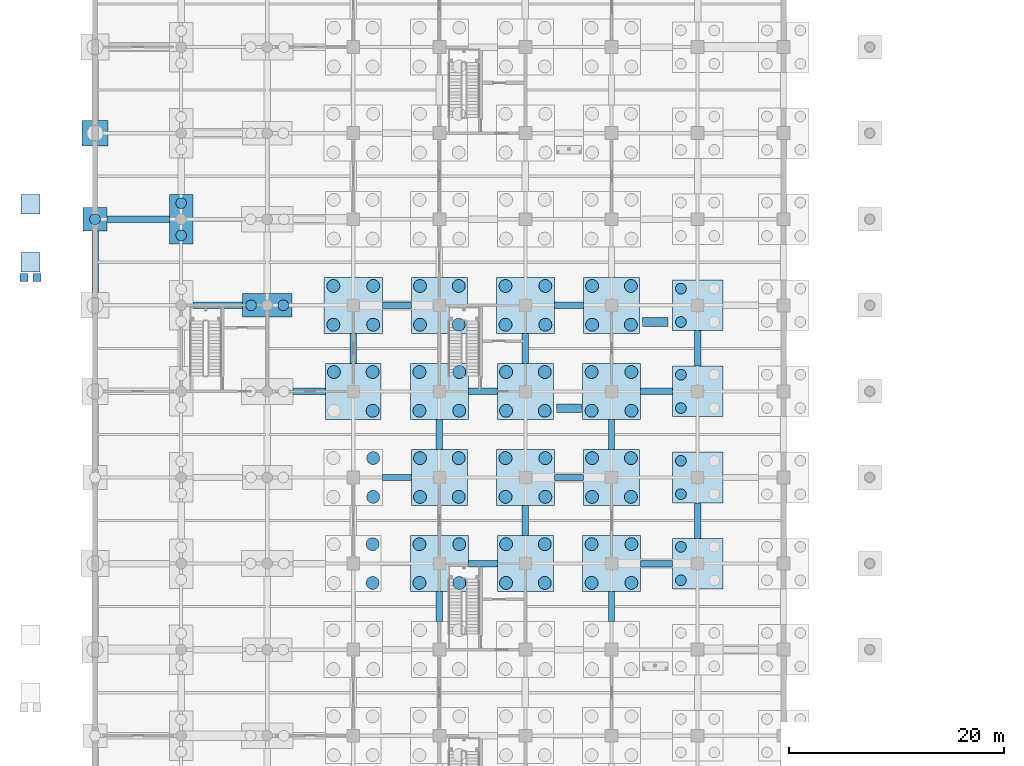
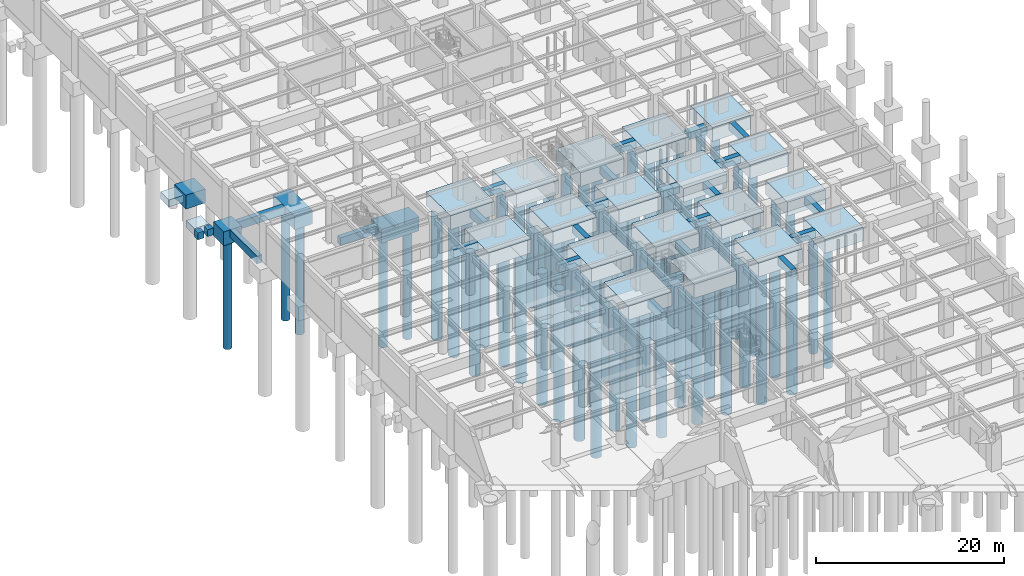
# One storey, part 5 of 97: 72 piles, 49 footings.
"""IFC4 building model written with IfcOpenShell, lengths in metres."""

from ifc_helpers import new_model, si_unit, direction, frame, origin, origin_2d, place, context, subcontext, project, spatial, rectangle, circle, extrude, material, layer, layer_set, material_profile, profile_set, type_object, element, save


model = new_model("IFC4")

# Units and contexts
model_context = context("Model", 3, precision=1e-05, world=origin(), true_north=direction((0.0, 1.0)))
body_context = subcontext(model_context, "Body", "Model", "MODEL_VIEW")
ifc_project = project(units=[si_unit("LENGTHUNIT", "METRE"), si_unit("AREAUNIT", "SQUARE_METRE"), si_unit("VOLUMEUNIT", "CUBIC_METRE"), si_unit("PLANEANGLEUNIT", "RADIAN"), si_unit("MASSUNIT", "GRAM", prefix="KILO")], contexts=[model_context])

# Site, building, storey
site_placement = place(None, origin())
site = spatial("IfcSite", under=ifc_project, at=site_placement, CompositionType="ELEMENT")
building_placement = place(site_placement, origin())
building = spatial("IfcBuilding", under=site, at=building_placement, Name="Haebicheon Civic Stadium", CompositionType="ELEMENT")
storey_placement = place(building_placement, frame((0.0, 0.0, -5.39990234375)))
storey = spatial("IfcBuildingStorey", under=building, at=storey_placement, Name="B1", CompositionType="ELEMENT", Elevation=-5.39990234375)

# Footings
ifc_material_1 = material(Name="Concrete C40/50", Category="concrete")
ifc_layer_1 = layer(ifc_material_1, 1.0, Name="Concrete C40/50")
ifc_layer_set_1 = layer_set([ifc_layer_1], Name="Concrete C40/50")
footing_type_1 = type_object("IfcFootingType", Name="FB-2700x600", PredefinedType="FOOTING_BEAM", material=ifc_layer_set_1)
for number, where, z_axis, x_axis, name in (
    (1, (28.050048828125, 72.0, -1.0), (0.0, 0.0, 1.0), (1.0, 0.0, 0.0), "Ground tie beam X 03-09"),
    (2, (28.050048828125, 88.0, -1.0), (0.0, 0.0, 1.0), (1.0, 0.0, 0.0), "Ground tie beam X 03-11"),
    (3, (36.050048828125, 64.0, -1.0), (0.0, 0.0, 1.0), (1.0, 0.0, 0.0), "Ground tie beam X 04-08"),
    (4, (36.050048828125, 80.0, -1.0), (0.0, 0.0, 1.0), (1.0, 0.0, 0.0), "Ground tie beam X 04-10"),
    (5, (44.050048828125, 72.0, -1.0), (0.0, 0.0, 1.0), (1.0, 0.0, 0.0), "Ground tie beam X 05-09"),
    (6, (44.050048828125, 88.0, -1.0), (0.0, 0.0, 1.0), (1.0, 0.0, 0.0), "Ground tie beam X 05-11"),
):
    element("IfcFooting", number, at=place(storey_placement, frame(where, z_axis=z_axis, x_axis=x_axis)), inside=storey, type_object=footing_type_1, material=ifc_layer_set_1, Name=name, PredefinedType="FOOTING_BEAM", context=body_context, shape_type="SweptSolid", body=[
        extrude(rectangle(XDim=2.699951171875, YDim=0.60009765625, at=origin_2d()), origin(), (0.0, 0.0, 1.0), 1.0),
    ])
ifc_material_2 = material(Name="Concrete C40/50", Category="concrete")
ifc_layer_2 = layer(ifc_material_2, 1.0, Name="Concrete C40/50")
ifc_layer_set_2 = layer_set([ifc_layer_2], Name="Concrete C40/50")
footing_type_2 = type_object("IfcFootingType", Name="FB-2800x600", PredefinedType="FOOTING_BEAM", material=ifc_layer_set_2)
for number, where, z_axis, x_axis, name in (
    (7, (24.0, 84.0, -1.0), (0.0, 0.0, 1.0), (0.0, 1.0, 0.0), "Ground tie beam Y 03-10"),
    (8, (32.0, 60.0, -1.0), (0.0, 0.0, 1.0), (0.0, 1.0, 0.0), "Ground tie beam Y 04-07"),
    (9, (32.0, 76.0, -1.0), (0.0, 0.0, 1.0), (0.0, 1.0, 0.0), "Ground tie beam Y 04-09"),
    (10, (40.0, 68.0, -1.0), (0.0, 0.0, 1.0), (0.0, 1.0, 0.0), "Ground tie beam Y 05-08"),
    (11, (40.0, 84.0, -1.0), (0.0, 0.0, 1.0), (0.0, 1.0, 0.0), "Ground tie beam Y 05-10"),
    (12, (48.0, 60.0, -1.0), (0.0, 0.0, 1.0), (0.0, 1.0, 0.0), "Ground tie beam Y 06-07"),
    (13, (48.0, 76.0, -1.0), (0.0, 0.0, 1.0), (0.0, 1.0, 0.0), "Ground tie beam Y 06-09"),
):
    element("IfcFooting", number, at=place(storey_placement, frame(where, z_axis=z_axis, x_axis=x_axis)), inside=storey, type_object=footing_type_2, material=ifc_layer_set_2, Name=name, PredefinedType="FOOTING_BEAM", context=body_context, shape_type="SweptSolid", body=[
        extrude(rectangle(XDim=2.800048828125, YDim=0.60009765625, at=origin_2d()), origin(), (0.0, 0.0, 1.0), 1.0),
    ])
ifc_material_3 = material(Name="Concrete C40/50", Category="concrete")
ifc_layer_3 = layer(ifc_material_3, 1.0, Name="Concrete C40/50")
ifc_layer_set_3 = layer_set([ifc_layer_3], Name="Concrete C40/50")
footing_type_3 = type_object("IfcFootingType", Name="FB-2950x600", PredefinedType="FOOTING_BEAM", material=ifc_layer_set_3)
for number, where, z_axis, x_axis, name in (
    (14, (52.175048828125, 64.0, -1.0), (0.0, 0.0, 1.0), (1.0, 0.0, 0.0), "Ground tie beam X 06-08"),
    (15, (52.175048828125, 80.0, -1.0), (0.0, 0.0, 1.0), (1.0, 0.0, 0.0), "Ground tie beam X 06-10"),
):
    element("IfcFooting", number, at=place(storey_placement, frame(where, z_axis=z_axis, x_axis=x_axis)), inside=storey, type_object=footing_type_3, material=ifc_layer_set_3, Name=name, PredefinedType="FOOTING_BEAM", context=body_context, shape_type="SweptSolid", body=[
        extrude(rectangle(XDim=2.949951171875, YDim=0.60009765625, at=origin_2d()), origin(), (0.0, 0.0, 1.0), 1.0),
    ])
ifc_material_4 = material(Name="Concrete C40/50", Category="concrete")
ifc_layer_4 = layer(ifc_material_4, 1.0, Name="Concrete C40/50")
ifc_layer_set_4 = layer_set([ifc_layer_4], Name="Concrete C40/50")
footing_type_4 = type_object("IfcFootingType", Name="FB-3000x600", PredefinedType="FOOTING_BEAM", material=ifc_layer_set_4)
footing_1_placement = place(storey_placement, frame((19.89990234375, 80.0, -1.0), z_axis=(0.0, 0.0, 1.0), x_axis=(1.0, 0.0, 0.0)))
element("IfcFooting", 16, at=footing_1_placement, inside=storey, type_object=footing_type_4, material=ifc_layer_set_4, Name="Ground tie beam X 02-10", PredefinedType="FOOTING_BEAM", context=body_context, shape_type="SweptSolid", body=[
    extrude(rectangle(XDim=3.0, YDim=0.60009765625, at=origin_2d()), origin(), (0.0, 0.0, 1.0), 1.0),
])
ifc_material_5 = material(Name="Concrete C40/50", Category="concrete")
ifc_layer_5 = layer(ifc_material_5, 1.0, Name="Concrete C40/50")
ifc_layer_set_5 = layer_set([ifc_layer_5], Name="Concrete C40/50")
footing_type_5 = type_object("IfcFootingType", Name="FB-3300x600", PredefinedType="FOOTING_BEAM", material=ifc_layer_set_5)
for number, where, z_axis, x_axis, name in (
    (17, (56.0, 68.0, -1.0), (0.0, 0.0, 1.0), (0.0, 1.0, 0.0), "Ground tie beam Y 07-08"),
    (18, (56.0, 84.0, -1.0), (0.0, 0.0, 1.0), (0.0, 1.0, 0.0), "Ground tie beam Y 07-10"),
):
    element("IfcFooting", number, at=place(storey_placement, frame(where, z_axis=z_axis, x_axis=x_axis)), inside=storey, type_object=footing_type_5, material=ifc_layer_set_5, Name=name, PredefinedType="FOOTING_BEAM", context=body_context, shape_type="SweptSolid", body=[
        extrude(rectangle(XDim=3.300048828125, YDim=0.60009765625, at=origin_2d()), origin(), (0.0, 0.0, 1.0), 1.0),
    ])
ifc_material_6 = material(Name="Concrete C40/50", Category="concrete")
ifc_layer_6 = layer(ifc_material_6, 1.0, Name="Concrete C40/50")
ifc_layer_set_6 = layer_set([ifc_layer_6], Name="Concrete C40/50")
footing_type_6 = type_object("IfcFootingType", Name="FB-4600x600", PredefinedType="FOOTING_BEAM", material=ifc_layer_set_6)
footing_2_placement = place(storey_placement, frame((11.39990234375, 88.0, -1.0), z_axis=(0.0, 0.0, 1.0), x_axis=(1.0, 0.0, 0.0)))
element("IfcFooting", 19, at=footing_2_placement, inside=storey, type_object=footing_type_6, material=ifc_layer_set_6, Name="Ground tie beam X 01-11", PredefinedType="FOOTING_BEAM", context=body_context, shape_type="SweptSolid", body=[
    extrude(rectangle(XDim=4.60009765625, YDim=0.60009765625, at=origin_2d()), origin(), (0.0, 0.0, 1.0), 1.0),
])
ifc_material_7 = material(Name="Concrete C40/50", Category="concrete")
ifc_layer_7 = layer(ifc_material_7, 1.0, Name="Concrete C40/50")
ifc_layer_set_7 = layer_set([ifc_layer_7], Name="Concrete C40/50")
footing_type_7 = type_object("IfcFootingType", Name="FB-5700x600", PredefinedType="FOOTING_BEAM", material=ifc_layer_set_7)
footing_3_placement = place(storey_placement, frame((0.0, 92.050048828125, -1.0), z_axis=(0.0, 0.0, 1.0), x_axis=(0.0, 1.0, 0.0)))
element("IfcFooting", 20, at=footing_3_placement, inside=storey, type_object=footing_type_7, material=ifc_layer_set_7, Name="Ground tie beam Y 00-11", PredefinedType="FOOTING_BEAM", context=body_context, shape_type="SweptSolid", body=[
    extrude(rectangle(XDim=5.699951171875, YDim=0.60009765625, at=origin_2d()), origin(), (0.0, 0.0, 1.0), 1.0),
])
ifc_material_8 = material(Name="Concrete C40/50", Category="concrete")
ifc_layer_8 = layer(ifc_material_8, 1.0, Name="Concrete C40/50")
ifc_layer_set_8 = layer_set([ifc_layer_8], Name="Concrete C40/50")
footing_type_8 = type_object("IfcFootingType", Name="FB-5800x600", PredefinedType="FOOTING_BEAM", material=ifc_layer_set_8)
footing_4_placement = place(storey_placement, frame((4.0, 96.0, -1.0), z_axis=(0.0, 0.0, 1.0), x_axis=(1.0, 0.0, 0.0)))
element("IfcFooting", 21, at=footing_4_placement, inside=storey, type_object=footing_type_8, material=ifc_layer_set_8, Name="Ground tie beam X 00-12", PredefinedType="FOOTING_BEAM", context=body_context, shape_type="SweptSolid", body=[
    extrude(rectangle(XDim=5.800048828125, YDim=0.60009765625, at=origin_2d()), origin(), (0.0, 0.0, 1.0), 1.0),
])
ifc_material_9 = material(Name="Concrete C40/50", Category="concrete")
ifc_layer_9 = layer(ifc_material_9, 1.800048828125, Name="Concrete C40/50")
ifc_layer_set_9 = layer_set([ifc_layer_9], Name="Concrete C40/50")
footing_type_9 = type_object("IfcFootingType", Name="PC-1P-2200", PredefinedType="PILE_CAP", material=ifc_layer_set_9)
footing_5_placement = place(storey_placement, frame((0.0, 96.0, -1.80029296875), z_axis=(0.0, 0.0, 1.0), x_axis=(1.0, 0.0, 0.0)))
element("IfcFooting", 22, at=footing_5_placement, inside=storey, type_object=footing_type_9, material=ifc_layer_set_9, Name="Pile cap FT-PC-00-12", PredefinedType="PILE_CAP", context=body_context, shape_type="SweptSolid", body=[
    extrude(rectangle(XDim=2.199951171875, YDim=2.199951171875, at=origin_2d()), origin(), (0.0, 0.0, 1.0), 1.800048828125),
])
ifc_material_10 = material(Name="Concrete C40/50", Category="concrete")
ifc_layer_10 = layer(ifc_material_10, 1.800048828125, Name="Concrete C40/50")
ifc_layer_set_10 = layer_set([ifc_layer_10], Name="Concrete C40/50")
footing_type_10 = type_object("IfcFootingType", Name="PC-1P-2400", PredefinedType="PILE_CAP", material=ifc_layer_set_10)
footing_6_placement = place(storey_placement, frame((0.0, 104.0, -1.80029296875), z_axis=(0.0, 0.0, 1.0), x_axis=(1.0, 0.0, 0.0)))
element("IfcFooting", 23, at=footing_6_placement, inside=storey, type_object=footing_type_10, material=ifc_layer_set_10, Name="Pile cap FT-PC-00-13", PredefinedType="PILE_CAP", context=body_context, shape_type="SweptSolid", body=[
    extrude(rectangle(XDim=2.39990234375, YDim=2.39990234375, at=origin_2d()), origin(), (0.0, 0.0, 1.0), 1.800048828125),
])
ifc_material_11 = material(Name="Concrete C40/50", Category="concrete")
ifc_layer_11 = layer(ifc_material_11, 1.800048828125, Name="Concrete C40/50")
ifc_layer_set_11 = layer_set([ifc_layer_11], Name="Concrete C40/50")
footing_type_11 = type_object("IfcFootingType", Name="PC-2P-2200", PredefinedType="PILE_CAP", material=ifc_layer_set_11)
footing_7_placement = place(storey_placement, frame((8.0, 96.0, -1.80029296875), z_axis=(0.0, 0.0, 1.0), x_axis=(1.0, 0.0, 0.0)))
element("IfcFooting", 24, at=footing_7_placement, inside=storey, type_object=footing_type_11, material=ifc_layer_set_11, Name="Pile cap FT-PC-01-12", PredefinedType="PILE_CAP", context=body_context, shape_type="SweptSolid", body=[
    extrude(rectangle(XDim=2.199951171875, YDim=4.60009765625, at=origin_2d()), origin(), (0.0, 0.0, 1.0), 1.800048828125),
])
ifc_material_12 = material(Name="Concrete C40/50", Category="concrete")
ifc_layer_12 = layer(ifc_material_12, 1.800048828125, Name="Concrete C40/50")
ifc_layer_set_12 = layer_set([ifc_layer_12], Name="Concrete C40/50")
footing_type_12 = type_object("IfcFootingType", Name="PC-2P-4600", PredefinedType="PILE_CAP", material=ifc_layer_set_12)
footing_8_placement = place(storey_placement, frame((16.0, 88.0, -1.80029296875), z_axis=(0.0, 0.0, 1.0), x_axis=(1.0, 0.0, 0.0)))
element("IfcFooting", 25, at=footing_8_placement, inside=storey, type_object=footing_type_12, material=ifc_layer_set_12, Name="Pile cap FT-PC-02-11", PredefinedType="PILE_CAP", context=body_context, shape_type="SweptSolid", body=[
    extrude(rectangle(XDim=4.60009765625, YDim=2.199951171875, at=origin_2d()), origin(), (0.0, 0.0, 1.0), 1.800048828125),
])
ifc_material_13 = material(Name="Concrete C40/50", Category="concrete")
ifc_layer_13 = layer(ifc_material_13, 1.800048828125, Name="Concrete C40/50")
ifc_layer_set_13 = layer_set([ifc_layer_13], Name="Concrete C40/50")
footing_type_13 = type_object("IfcFootingType", Name="PC-4P-4700", PredefinedType="PILE_CAP", material=ifc_layer_set_13)
for number, where, z_axis, x_axis, name in (
    (26, (56.0, 64.0, -1.80029296875), (0.0, 0.0, 1.0), (1.0, 0.0, 0.0), "Pile cap FT-PC-07-08"),
    (27, (56.0, 72.0, -1.80029296875), (0.0, 0.0, 1.0), (1.0, 0.0, 0.0), "Pile cap FT-PC-07-09"),
    (28, (56.0, 80.0, -1.80029296875), (0.0, 0.0, 1.0), (1.0, 0.0, 0.0), "Pile cap FT-PC-07-10"),
    (29, (56.0, 88.0, -1.80029296875), (0.0, 0.0, 1.0), (1.0, 0.0, 0.0), "Pile cap FT-PC-07-11"),
):
    element("IfcFooting", number, at=place(storey_placement, frame(where, z_axis=z_axis, x_axis=x_axis)), inside=storey, type_object=footing_type_13, material=ifc_layer_set_13, Name=name, PredefinedType="PILE_CAP", context=body_context, shape_type="SweptSolid", body=[
        extrude(rectangle(XDim=4.699951171875, YDim=4.699951171875, at=origin_2d()), origin(), (0.0, 0.0, 1.0), 1.800048828125),
    ])
ifc_material_14 = material(Name="Concrete C40/50", Category="concrete")
ifc_layer_14 = layer(ifc_material_14, 1.800048828125, Name="Concrete C40/50")
ifc_layer_set_14 = layer_set([ifc_layer_14], Name="Concrete C40/50")
footing_type_14 = type_object("IfcFootingType", Name="PC-4P-5200", PredefinedType="PILE_CAP", material=ifc_layer_set_14)
for number, where, z_axis, x_axis, name in (
    (30, (24.0, 80.0, -1.80029296875), (0.0, 0.0, 1.0), (1.0, 0.0, 0.0), "Pile cap FT-PC-03-10"),
    (31, (32.0, 72.0, -1.80029296875), (0.0, 0.0, 1.0), (1.0, 0.0, 0.0), "Pile cap FT-PC-04-09"),
    (32, (32.0, 88.0, -1.80029296875), (0.0, 0.0, 1.0), (1.0, 0.0, 0.0), "Pile cap FT-PC-04-11"),
    (33, (40.0, 64.0, -1.80029296875), (0.0, 0.0, 1.0), (1.0, 0.0, 0.0), "Pile cap FT-PC-05-08"),
    (34, (40.0, 80.0, -1.80029296875), (0.0, 0.0, 1.0), (1.0, 0.0, 0.0), "Pile cap FT-PC-05-10"),
    (35, (48.0, 72.0, -1.80029296875), (0.0, 0.0, 1.0), (1.0, 0.0, 0.0), "Pile cap FT-PC-06-09"),
    (36, (48.0, 88.0, -1.80029296875), (0.0, 0.0, 1.0), (1.0, 0.0, 0.0), "Pile cap FT-PC-06-11"),
):
    element("IfcFooting", number, at=place(storey_placement, frame(where, z_axis=z_axis, x_axis=x_axis)), inside=storey, type_object=footing_type_14, material=ifc_layer_set_14, Name=name, PredefinedType="PILE_CAP", context=body_context, shape_type="SweptSolid", body=[
        extrude(rectangle(XDim=5.199951171875, YDim=5.199951171875, at=origin_2d()), origin(), (0.0, 0.0, 1.0), 1.800048828125),
    ])
ifc_material_15 = material(Name="Concrete C40/50", Category="concrete")
ifc_layer_15 = layer(ifc_material_15, 1.800048828125, Name="Concrete C40/50")
ifc_layer_set_15 = layer_set([ifc_layer_15], Name="Concrete C40/50")
footing_type_15 = type_object("IfcFootingType", Name="PC-4P-5400", PredefinedType="PILE_CAP", material=ifc_layer_set_15)
for number, where, z_axis, x_axis, name in (
    (37, (24.0, 88.0, -1.80029296875), (0.0, 0.0, 1.0), (1.0, 0.0, 0.0), "Pile cap FT-PC-03-11"),
    (38, (32.0, 64.0, -1.80029296875), (0.0, 0.0, 1.0), (1.0, 0.0, 0.0), "Pile cap FT-PC-04-08"),
    (39, (32.0, 80.0, -1.80029296875), (0.0, 0.0, 1.0), (1.0, 0.0, 0.0), "Pile cap FT-PC-04-10"),
    (40, (40.0, 72.0, -1.80029296875), (0.0, 0.0, 1.0), (1.0, 0.0, 0.0), "Pile cap FT-PC-05-09"),
    (41, (40.0, 88.0, -1.80029296875), (0.0, 0.0, 1.0), (1.0, 0.0, 0.0), "Pile cap FT-PC-05-11"),
    (42, (48.0, 64.0, -1.80029296875), (0.0, 0.0, 1.0), (1.0, 0.0, 0.0), "Pile cap FT-PC-06-08"),
    (43, (48.0, 80.0, -1.80029296875), (0.0, 0.0, 1.0), (1.0, 0.0, 0.0), "Pile cap FT-PC-06-10"),
):
    element("IfcFooting", number, at=place(storey_placement, frame(where, z_axis=z_axis, x_axis=x_axis)), inside=storey, type_object=footing_type_15, material=ifc_layer_set_15, Name=name, PredefinedType="PILE_CAP", context=body_context, shape_type="SweptSolid", body=[
        extrude(rectangle(XDim=5.39990234375, YDim=5.199951171875, at=origin_2d()), origin(), (0.0, 0.0, 1.0), 1.800048828125),
    ])
ifc_material_16 = material(Name="Concrete C35/45", Category="concrete")
ifc_layer_16 = layer(ifc_material_16, 0.89990234375, Name="Concrete C35/45")
ifc_layer_set_16 = layer_set([ifc_layer_16], Name="Concrete C35/45")
footing_type_16 = type_object("IfcFootingType", Name="PF-1800", PredefinedType="PAD_FOOTING", material=ifc_layer_set_16)
for number, where, z_axis, x_axis, name in (
    (44, (-6.0, 92.0, 3.849853515625), (0.0, 0.0, 1.0), (1.0, 0.0, 0.0), "Ramp lower pad footing RMP-02"),
    (45, (-6.0, 97.39990234375, 4.300048828125), (0.0, 0.0, 1.0), (1.0, 0.0, 0.0), "Ramp upper pad footing RMP-02"),
):
    element("IfcFooting", number, at=place(storey_placement, frame(where, z_axis=z_axis, x_axis=x_axis)), inside=storey, type_object=footing_type_16, material=ifc_layer_set_16, Name=name, PredefinedType="PAD_FOOTING", context=body_context, shape_type="SweptSolid", body=[
        extrude(rectangle(XDim=1.800048828125, YDim=1.800048828125, at=origin_2d()), origin(), (0.0, 0.0, 1.0), 0.89990234375),
    ])
ifc_material_17 = material(Name="Concrete C35/45", Category="concrete")
ifc_layer_17 = layer(ifc_material_17, 0.89990234375, Name="Concrete C35/45")
ifc_layer_set_17 = layer_set([ifc_layer_17], Name="Concrete C35/45")
footing_type_17 = type_object("IfcFootingType", Name="PF-2360x800", PredefinedType="PAD_FOOTING", material=ifc_layer_set_17)
for number, where, z_axis, x_axis, name in (
    (46, (52.050048828125, 86.449951171875, -0.900146484375), (0.0, 0.0, 1.0), (1.0, 0.0, 0.0), "VM-02 vomitory landing pad footing"),
    (47, (44.050048828125, 78.449951171875, -0.900146484375), (0.0, 0.0, 1.0), (1.0, 0.0, 0.0), "VM-04 vomitory landing pad footing"),
):
    element("IfcFooting", number, at=place(storey_placement, frame(where, z_axis=z_axis, x_axis=x_axis)), inside=storey, type_object=footing_type_17, material=ifc_layer_set_17, Name=name, PredefinedType="PAD_FOOTING", context=body_context, shape_type="SweptSolid", body=[
        extrude(rectangle(XDim=2.360107421875, YDim=0.800048828125, at=origin_2d()), origin(), (0.0, 0.0, 1.0), 0.89990234375),
    ])
ifc_material_18 = material(Name="Concrete C35/45", Category="concrete")
ifc_layer_18 = layer(ifc_material_18, 0.89990234375, Name="Concrete C35/45")
ifc_layer_set_18 = layer_set([ifc_layer_18], Name="Concrete C35/45")
footing_type_18 = type_object("IfcFootingType", Name="PF-750", PredefinedType="PAD_FOOTING", material=ifc_layer_set_18)
for number, where, z_axis, x_axis, name in (
    (48, (-6.60009765625, 90.60009765625, 3.849853515625), (0.0, 0.0, 1.0), (1.0, 0.0, 0.0), "Ramp landing corner pad footing RMP-02.1"),
    (49, (-5.39990234375, 90.60009765625, 3.849853515625), (0.0, 0.0, 1.0), (1.0, 0.0, 0.0), "Ramp landing corner pad footing RMP-02.2"),
):
    element("IfcFooting", number, at=place(storey_placement, frame(where, z_axis=z_axis, x_axis=x_axis)), inside=storey, type_object=footing_type_18, material=ifc_layer_set_18, Name=name, PredefinedType="PAD_FOOTING", context=body_context, shape_type="SweptSolid", body=[
        extrude(rectangle(XDim=0.75, YDim=0.75, at=origin_2d()), origin(), (0.0, 0.0, 1.0), 0.89990234375),
    ])

# Piles
ifc_material_19 = material(Name="Concrete C40/50", Category="concrete")
ifc_material_profile_1 = material_profile(ifc_material_19, circle(Radius=0.5, at=origin_2d()), Name="PILE-D1000")
ifc_profile_set_1 = profile_set([ifc_material_profile_1], Name="Concrete C40/50")
pile_type_1 = type_object("IfcPileType", Name="PL-D1000", PredefinedType="BORED", material=ifc_profile_set_1)
for number, where, z_axis, x_axis, name in (
    (50, (0.0, 96.0, -1.7001953125), (0.0, 0.0, -1.0), (1.0, 0.0, 0.0), "Bored pile 00-12-1"),
    (51, (8.0, 94.5, -1.7001953125), (0.0, 0.0, -1.0), (1.0, 0.0, 0.0), "Bored pile 01-12-1"),
    (52, (8.0, 97.5, -1.7001953125), (0.0, 0.0, -1.0), (1.0, 0.0, 0.0), "Bored pile 01-12-2"),
    (53, (14.5, 88.0, -1.7001953125), (0.0, 0.0, -1.0), (1.0, 0.0, 0.0), "Bored pile 02-11-1"),
    (54, (17.5, 88.0, -1.7001953125), (0.0, 0.0, -1.0), (1.0, 0.0, 0.0), "Bored pile 02-11-2"),
):
    element("IfcPile", number, at=place(storey_placement, frame(where, z_axis=z_axis, x_axis=x_axis)), inside=storey, type_object=pile_type_1, material=ifc_profile_set_1, Name=name, PredefinedType="BORED", context=body_context, shape_type="SweptSolid", body=[
        extrude(circle(Radius=0.5, at=origin_2d()), origin(), (0.0, 0.0, 1.0), 14.300048828125),
    ])
for number, where, z_axis, x_axis, name in (
    (55, (54.449951171875, 62.449951171875, -1.7001953125), (0.0, 0.0, -1.0), (1.0, 0.0, 0.0), "Bored pile 07-08-1"),
    (56, (54.449951171875, 65.550048828125, -1.7001953125), (0.0, 0.0, -1.0), (1.0, 0.0, 0.0), "Bored pile 07-08-3"),
    (57, (54.449951171875, 70.449951171875, -1.7001953125), (0.0, 0.0, -1.0), (1.0, 0.0, 0.0), "Bored pile 07-09-1"),
    (58, (54.449951171875, 73.550048828125, -1.7001953125), (0.0, 0.0, -1.0), (1.0, 0.0, 0.0), "Bored pile 07-09-3"),
    (59, (54.449951171875, 78.449951171875, -1.7001953125), (0.0, 0.0, -1.0), (1.0, 0.0, 0.0), "Bored pile 07-10-1"),
    (60, (54.449951171875, 81.550048828125, -1.7001953125), (0.0, 0.0, -1.0), (1.0, 0.0, 0.0), "Bored pile 07-10-3"),
    (61, (54.449951171875, 86.449951171875, -1.7001953125), (0.0, 0.0, -1.0), (1.0, 0.0, 0.0), "Bored pile 07-11-1"),
    (62, (54.449951171875, 89.550048828125, -1.7001953125), (0.0, 0.0, -1.0), (1.0, 0.0, 0.0), "Bored pile 07-11-3"),
):
    element("IfcPile", number, at=place(storey_placement, frame(where, z_axis=z_axis, x_axis=x_axis)), inside=storey, type_object=pile_type_1, material=ifc_profile_set_1, Name=name, PredefinedType="BORED", context=body_context, shape_type="SweptSolid", body=[
        extrude(circle(Radius=0.5, at=origin_2d()), origin(), (0.0, 0.0, 1.0), 15.5),
    ])
ifc_material_20 = material(Name="Concrete C40/50", Category="concrete")
ifc_material_profile_2 = material_profile(ifc_material_20, circle(Radius=0.60009765625, at=origin_2d()), Name="PILE-D1200")
ifc_profile_set_2 = profile_set([ifc_material_profile_2], Name="Concrete C40/50")
pile_type_2 = type_object("IfcPileType", Name="PL-D1200", PredefinedType="BORED", material=ifc_profile_set_2)
for number, where, z_axis, x_axis, name in (
    (63, (25.800048828125, 62.199951171875, -1.7001953125), (0.0, 0.0, -1.0), (1.0, 0.0, 0.0), "Bored pile 03-08-2"),
    (64, (25.800048828125, 65.800048828125, -1.7001953125), (0.0, 0.0, -1.0), (1.0, 0.0, 0.0), "Bored pile 03-08-4"),
):
    element("IfcPile", number, at=place(storey_placement, frame(where, z_axis=z_axis, x_axis=x_axis)), inside=storey, type_object=pile_type_2, material=ifc_profile_set_2, Name=name, PredefinedType="BORED", context=body_context, shape_type="SweptSolid", body=[
        extrude(circle(Radius=0.60009765625, at=origin_2d()), origin(), (0.0, 0.0, 1.0), 16.89990234375),
    ])
for number, where, z_axis, x_axis, name in (
    (65, (25.85009765625, 70.199951171875, -1.7001953125), (0.0, 0.0, -1.0), (1.0, 0.0, 0.0), "Bored pile 03-09-2"),
    (66, (25.85009765625, 73.800048828125, -1.7001953125), (0.0, 0.0, -1.0), (1.0, 0.0, 0.0), "Bored pile 03-09-4"),
):
    element("IfcPile", number, at=place(storey_placement, frame(where, z_axis=z_axis, x_axis=x_axis)), inside=storey, type_object=pile_type_2, material=ifc_profile_set_2, Name=name, PredefinedType="BORED", context=body_context, shape_type="SweptSolid", body=[
        extrude(circle(Radius=0.60009765625, at=origin_2d()), origin(), (0.0, 0.0, 1.0), 17.10009765625),
    ])
for number, where, z_axis, x_axis, name in (
    (67, (25.800048828125, 78.199951171875, -1.7001953125), (0.0, 0.0, -1.0), (1.0, 0.0, 0.0), "Bored pile 03-10-2"),
    (68, (22.199951171875, 81.800048828125, -1.7001953125), (0.0, 0.0, -1.0), (1.0, 0.0, 0.0), "Bored pile 03-10-3"),
    (69, (25.800048828125, 81.800048828125, -1.7001953125), (0.0, 0.0, -1.0), (1.0, 0.0, 0.0), "Bored pile 03-10-4"),
):
    element("IfcPile", number, at=place(storey_placement, frame(where, z_axis=z_axis, x_axis=x_axis)), inside=storey, type_object=pile_type_2, material=ifc_profile_set_2, Name=name, PredefinedType="BORED", context=body_context, shape_type="SweptSolid", body=[
        extrude(circle(Radius=0.60009765625, at=origin_2d()), origin(), (0.0, 0.0, 1.0), 16.89990234375),
    ])
for number, where, z_axis, x_axis, name in (
    (70, (22.14990234375, 86.199951171875, -1.7001953125), (0.0, 0.0, -1.0), (1.0, 0.0, 0.0), "Bored pile 03-11-1"),
    (71, (25.85009765625, 86.199951171875, -1.7001953125), (0.0, 0.0, -1.0), (1.0, 0.0, 0.0), "Bored pile 03-11-2"),
    (72, (22.14990234375, 89.800048828125, -1.7001953125), (0.0, 0.0, -1.0), (1.0, 0.0, 0.0), "Bored pile 03-11-3"),
    (73, (25.85009765625, 89.800048828125, -1.7001953125), (0.0, 0.0, -1.0), (1.0, 0.0, 0.0), "Bored pile 03-11-4"),
    (74, (30.14990234375, 62.199951171875, -1.7001953125), (0.0, 0.0, -1.0), (1.0, 0.0, 0.0), "Bored pile 04-08-1"),
    (75, (33.85009765625, 62.199951171875, -1.7001953125), (0.0, 0.0, -1.0), (1.0, 0.0, 0.0), "Bored pile 04-08-2"),
    (76, (30.14990234375, 65.800048828125, -1.7001953125), (0.0, 0.0, -1.0), (1.0, 0.0, 0.0), "Bored pile 04-08-3"),
    (77, (33.85009765625, 65.800048828125, -1.7001953125), (0.0, 0.0, -1.0), (1.0, 0.0, 0.0), "Bored pile 04-08-4"),
):
    element("IfcPile", number, at=place(storey_placement, frame(where, z_axis=z_axis, x_axis=x_axis)), inside=storey, type_object=pile_type_2, material=ifc_profile_set_2, Name=name, PredefinedType="BORED", context=body_context, shape_type="SweptSolid", body=[
        extrude(circle(Radius=0.60009765625, at=origin_2d()), origin(), (0.0, 0.0, 1.0), 17.10009765625),
    ])
for number, where, z_axis, x_axis, name in (
    (78, (30.199951171875, 70.199951171875, -1.7001953125), (0.0, 0.0, -1.0), (1.0, 0.0, 0.0), "Bored pile 04-09-1"),
    (79, (33.800048828125, 70.199951171875, -1.7001953125), (0.0, 0.0, -1.0), (1.0, 0.0, 0.0), "Bored pile 04-09-2"),
    (80, (30.199951171875, 73.800048828125, -1.7001953125), (0.0, 0.0, -1.0), (1.0, 0.0, 0.0), "Bored pile 04-09-3"),
    (81, (33.800048828125, 73.800048828125, -1.7001953125), (0.0, 0.0, -1.0), (1.0, 0.0, 0.0), "Bored pile 04-09-4"),
):
    element("IfcPile", number, at=place(storey_placement, frame(where, z_axis=z_axis, x_axis=x_axis)), inside=storey, type_object=pile_type_2, material=ifc_profile_set_2, Name=name, PredefinedType="BORED", context=body_context, shape_type="SweptSolid", body=[
        extrude(circle(Radius=0.60009765625, at=origin_2d()), origin(), (0.0, 0.0, 1.0), 16.89990234375),
    ])
for number, where, z_axis, x_axis, name in (
    (82, (30.14990234375, 78.199951171875, -1.7001953125), (0.0, 0.0, -1.0), (1.0, 0.0, 0.0), "Bored pile 04-10-1"),
    (83, (33.85009765625, 78.199951171875, -1.7001953125), (0.0, 0.0, -1.0), (1.0, 0.0, 0.0), "Bored pile 04-10-2"),
    (84, (30.14990234375, 81.800048828125, -1.7001953125), (0.0, 0.0, -1.0), (1.0, 0.0, 0.0), "Bored pile 04-10-3"),
    (85, (33.85009765625, 81.800048828125, -1.7001953125), (0.0, 0.0, -1.0), (1.0, 0.0, 0.0), "Bored pile 04-10-4"),
):
    element("IfcPile", number, at=place(storey_placement, frame(where, z_axis=z_axis, x_axis=x_axis)), inside=storey, type_object=pile_type_2, material=ifc_profile_set_2, Name=name, PredefinedType="BORED", context=body_context, shape_type="SweptSolid", body=[
        extrude(circle(Radius=0.60009765625, at=origin_2d()), origin(), (0.0, 0.0, 1.0), 17.10009765625),
    ])
for number, where, z_axis, x_axis, name in (
    (86, (30.199951171875, 86.199951171875, -1.7001953125), (0.0, 0.0, -1.0), (1.0, 0.0, 0.0), "Bored pile 04-11-1"),
    (87, (33.800048828125, 86.199951171875, -1.7001953125), (0.0, 0.0, -1.0), (1.0, 0.0, 0.0), "Bored pile 04-11-2"),
    (88, (30.199951171875, 89.800048828125, -1.7001953125), (0.0, 0.0, -1.0), (1.0, 0.0, 0.0), "Bored pile 04-11-3"),
    (89, (33.800048828125, 89.800048828125, -1.7001953125), (0.0, 0.0, -1.0), (1.0, 0.0, 0.0), "Bored pile 04-11-4"),
    (90, (38.199951171875, 62.199951171875, -1.7001953125), (0.0, 0.0, -1.0), (1.0, 0.0, 0.0), "Bored pile 05-08-1"),
    (91, (41.800048828125, 62.199951171875, -1.7001953125), (0.0, 0.0, -1.0), (1.0, 0.0, 0.0), "Bored pile 05-08-2"),
    (92, (38.199951171875, 65.800048828125, -1.7001953125), (0.0, 0.0, -1.0), (1.0, 0.0, 0.0), "Bored pile 05-08-3"),
    (93, (41.800048828125, 65.800048828125, -1.7001953125), (0.0, 0.0, -1.0), (1.0, 0.0, 0.0), "Bored pile 05-08-4"),
):
    element("IfcPile", number, at=place(storey_placement, frame(where, z_axis=z_axis, x_axis=x_axis)), inside=storey, type_object=pile_type_2, material=ifc_profile_set_2, Name=name, PredefinedType="BORED", context=body_context, shape_type="SweptSolid", body=[
        extrude(circle(Radius=0.60009765625, at=origin_2d()), origin(), (0.0, 0.0, 1.0), 16.89990234375),
    ])
for number, where, z_axis, x_axis, name in (
    (94, (38.14990234375, 70.199951171875, -1.7001953125), (0.0, 0.0, -1.0), (1.0, 0.0, 0.0), "Bored pile 05-09-1"),
    (95, (41.85009765625, 70.199951171875, -1.7001953125), (0.0, 0.0, -1.0), (1.0, 0.0, 0.0), "Bored pile 05-09-2"),
    (96, (38.14990234375, 73.800048828125, -1.7001953125), (0.0, 0.0, -1.0), (1.0, 0.0, 0.0), "Bored pile 05-09-3"),
    (97, (41.85009765625, 73.800048828125, -1.7001953125), (0.0, 0.0, -1.0), (1.0, 0.0, 0.0), "Bored pile 05-09-4"),
):
    element("IfcPile", number, at=place(storey_placement, frame(where, z_axis=z_axis, x_axis=x_axis)), inside=storey, type_object=pile_type_2, material=ifc_profile_set_2, Name=name, PredefinedType="BORED", context=body_context, shape_type="SweptSolid", body=[
        extrude(circle(Radius=0.60009765625, at=origin_2d()), origin(), (0.0, 0.0, 1.0), 17.10009765625),
    ])
for number, where, z_axis, x_axis, name in (
    (98, (38.199951171875, 78.199951171875, -1.7001953125), (0.0, 0.0, -1.0), (1.0, 0.0, 0.0), "Bored pile 05-10-1"),
    (99, (41.800048828125, 78.199951171875, -1.7001953125), (0.0, 0.0, -1.0), (1.0, 0.0, 0.0), "Bored pile 05-10-2"),
    (100, (38.199951171875, 81.800048828125, -1.7001953125), (0.0, 0.0, -1.0), (1.0, 0.0, 0.0), "Bored pile 05-10-3"),
    (101, (41.800048828125, 81.800048828125, -1.7001953125), (0.0, 0.0, -1.0), (1.0, 0.0, 0.0), "Bored pile 05-10-4"),
):
    element("IfcPile", number, at=place(storey_placement, frame(where, z_axis=z_axis, x_axis=x_axis)), inside=storey, type_object=pile_type_2, material=ifc_profile_set_2, Name=name, PredefinedType="BORED", context=body_context, shape_type="SweptSolid", body=[
        extrude(circle(Radius=0.60009765625, at=origin_2d()), origin(), (0.0, 0.0, 1.0), 16.89990234375),
    ])
for number, where, z_axis, x_axis, name in (
    (102, (38.14990234375, 86.199951171875, -1.7001953125), (0.0, 0.0, -1.0), (1.0, 0.0, 0.0), "Bored pile 05-11-1"),
    (103, (41.85009765625, 86.199951171875, -1.7001953125), (0.0, 0.0, -1.0), (1.0, 0.0, 0.0), "Bored pile 05-11-2"),
    (104, (38.14990234375, 89.800048828125, -1.7001953125), (0.0, 0.0, -1.0), (1.0, 0.0, 0.0), "Bored pile 05-11-3"),
    (105, (41.85009765625, 89.800048828125, -1.7001953125), (0.0, 0.0, -1.0), (1.0, 0.0, 0.0), "Bored pile 05-11-4"),
    (106, (46.14990234375, 62.199951171875, -1.7001953125), (0.0, 0.0, -1.0), (1.0, 0.0, 0.0), "Bored pile 06-08-1"),
    (107, (49.85009765625, 62.199951171875, -1.7001953125), (0.0, 0.0, -1.0), (1.0, 0.0, 0.0), "Bored pile 06-08-2"),
    (108, (46.14990234375, 65.800048828125, -1.7001953125), (0.0, 0.0, -1.0), (1.0, 0.0, 0.0), "Bored pile 06-08-3"),
    (109, (49.85009765625, 65.800048828125, -1.7001953125), (0.0, 0.0, -1.0), (1.0, 0.0, 0.0), "Bored pile 06-08-4"),
):
    element("IfcPile", number, at=place(storey_placement, frame(where, z_axis=z_axis, x_axis=x_axis)), inside=storey, type_object=pile_type_2, material=ifc_profile_set_2, Name=name, PredefinedType="BORED", context=body_context, shape_type="SweptSolid", body=[
        extrude(circle(Radius=0.60009765625, at=origin_2d()), origin(), (0.0, 0.0, 1.0), 17.10009765625),
    ])
for number, where, z_axis, x_axis, name in (
    (110, (46.199951171875, 70.199951171875, -1.7001953125), (0.0, 0.0, -1.0), (1.0, 0.0, 0.0), "Bored pile 06-09-1"),
    (111, (49.800048828125, 70.199951171875, -1.7001953125), (0.0, 0.0, -1.0), (1.0, 0.0, 0.0), "Bored pile 06-09-2"),
    (112, (46.199951171875, 73.800048828125, -1.7001953125), (0.0, 0.0, -1.0), (1.0, 0.0, 0.0), "Bored pile 06-09-3"),
    (113, (49.800048828125, 73.800048828125, -1.7001953125), (0.0, 0.0, -1.0), (1.0, 0.0, 0.0), "Bored pile 06-09-4"),
):
    element("IfcPile", number, at=place(storey_placement, frame(where, z_axis=z_axis, x_axis=x_axis)), inside=storey, type_object=pile_type_2, material=ifc_profile_set_2, Name=name, PredefinedType="BORED", context=body_context, shape_type="SweptSolid", body=[
        extrude(circle(Radius=0.60009765625, at=origin_2d()), origin(), (0.0, 0.0, 1.0), 16.89990234375),
    ])
for number, where, z_axis, x_axis, name in (
    (114, (46.14990234375, 78.199951171875, -1.7001953125), (0.0, 0.0, -1.0), (1.0, 0.0, 0.0), "Bored pile 06-10-1"),
    (115, (49.85009765625, 78.199951171875, -1.7001953125), (0.0, 0.0, -1.0), (1.0, 0.0, 0.0), "Bored pile 06-10-2"),
    (116, (46.14990234375, 81.800048828125, -1.7001953125), (0.0, 0.0, -1.0), (1.0, 0.0, 0.0), "Bored pile 06-10-3"),
    (117, (49.85009765625, 81.800048828125, -1.7001953125), (0.0, 0.0, -1.0), (1.0, 0.0, 0.0), "Bored pile 06-10-4"),
):
    element("IfcPile", number, at=place(storey_placement, frame(where, z_axis=z_axis, x_axis=x_axis)), inside=storey, type_object=pile_type_2, material=ifc_profile_set_2, Name=name, PredefinedType="BORED", context=body_context, shape_type="SweptSolid", body=[
        extrude(circle(Radius=0.60009765625, at=origin_2d()), origin(), (0.0, 0.0, 1.0), 17.10009765625),
    ])
for number, where, z_axis, x_axis, name in (
    (118, (46.199951171875, 86.199951171875, -1.7001953125), (0.0, 0.0, -1.0), (1.0, 0.0, 0.0), "Bored pile 06-11-1"),
    (119, (49.800048828125, 86.199951171875, -1.7001953125), (0.0, 0.0, -1.0), (1.0, 0.0, 0.0), "Bored pile 06-11-2"),
    (120, (46.199951171875, 89.800048828125, -1.7001953125), (0.0, 0.0, -1.0), (1.0, 0.0, 0.0), "Bored pile 06-11-3"),
    (121, (49.800048828125, 89.800048828125, -1.7001953125), (0.0, 0.0, -1.0), (1.0, 0.0, 0.0), "Bored pile 06-11-4"),
):
    element("IfcPile", number, at=place(storey_placement, frame(where, z_axis=z_axis, x_axis=x_axis)), inside=storey, type_object=pile_type_2, material=ifc_profile_set_2, Name=name, PredefinedType="BORED", context=body_context, shape_type="SweptSolid", body=[
        extrude(circle(Radius=0.60009765625, at=origin_2d()), origin(), (0.0, 0.0, 1.0), 16.89990234375),
    ])

save(model, "model.ifc")
